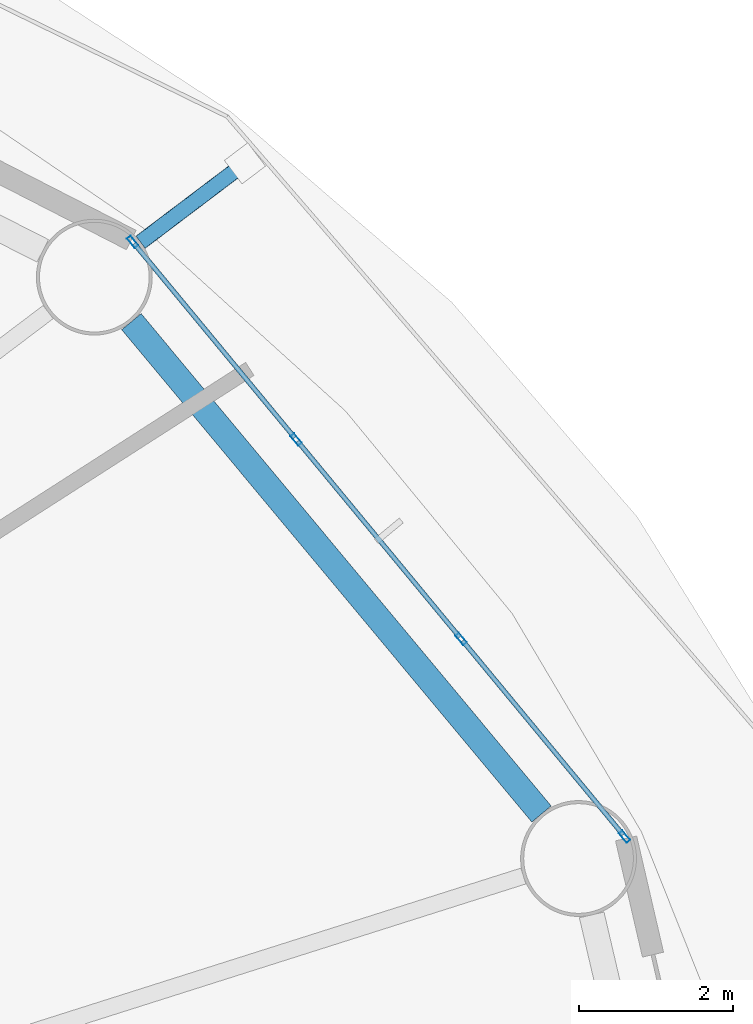
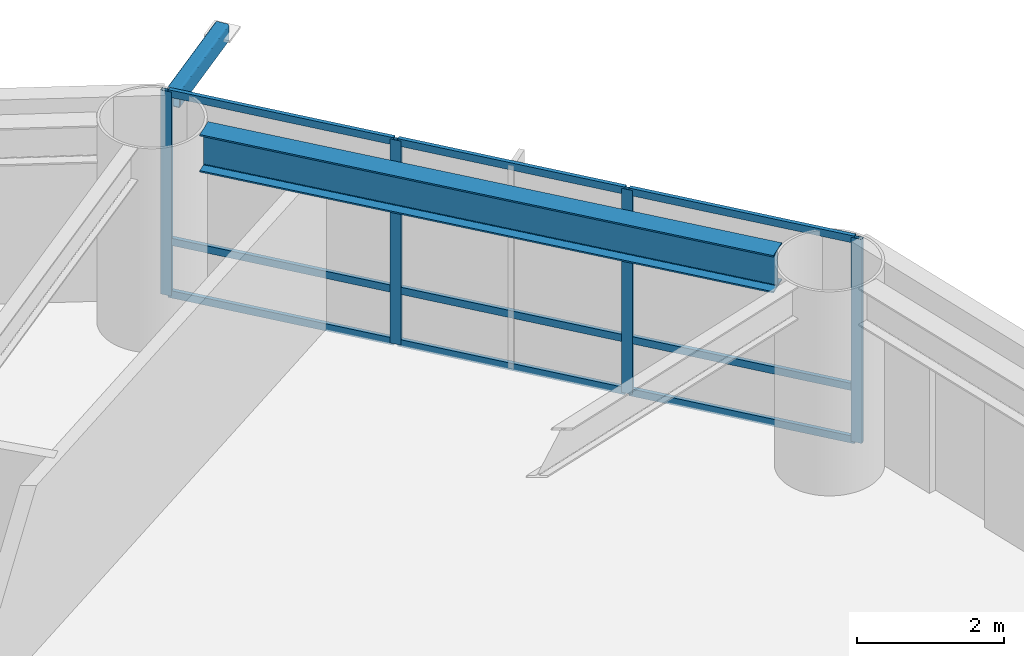
# One storey, part 14 of 28: 14 members, 1 beam, 1 element without a shape of its own.
"""IFC4 building model written with IfcOpenShell, lengths in metres."""

from ifc_helpers import new_model, si_unit, direction, frame, origin, origin_2d, place, context, subcontext, project, spatial, hollow_rectangle, i_section, extrude, material, layer, layer_set, material_profile, profile_set, type_object, element, aggregate, save


model = new_model("IFC4")

# Units and contexts
model_context = context("Model", 3, precision=1e-05, world=origin(), true_north=direction((0.0, 1.0)))
body_context = subcontext(model_context, "Body", "Model", "MODEL_VIEW")
ifc_project = project(units=[si_unit("LENGTHUNIT", "METRE"), si_unit("AREAUNIT", "SQUARE_METRE"), si_unit("VOLUMEUNIT", "CUBIC_METRE"), si_unit("PLANEANGLEUNIT", "RADIAN"), si_unit("MASSUNIT", "GRAM", prefix="KILO")], contexts=[model_context])

# Site, building, storey
site_placement = place(None, origin())
site = spatial("IfcSite", under=ifc_project, at=site_placement, CompositionType="ELEMENT")
building_placement = place(site_placement, origin())
building = spatial("IfcBuilding", under=site, at=building_placement, Name="Sarneth Arch Tower", CompositionType="ELEMENT")
storey_placement = place(building_placement, frame((0.0, 0.0, 31.800048828125)))
storey = spatial("IfcBuildingStorey", under=building, at=storey_placement, Name="L06", CompositionType="ELEMENT", Elevation=31.800048828125)

# Beam
ifc_material_1 = material(Name="Steel S355", Category="steel")
ifc_material_profile_1 = material_profile(ifc_material_1, i_section(OverallWidth=0.326904296875, OverallDepth=0.6220703125, WebThickness=0.015380859375, FlangeThickness=0.0244140625, FilletRadius=0.01904296875, at=origin_2d()), Name="W610x195")
ifc_profile_set_1 = profile_set([ifc_material_profile_1], Name="Steel S355")
beam_type = type_object("IfcBeamType", Name="BM-SPAN-610A", PredefinedType="SPANDREL", material=ifc_profile_set_1)
beam_placement = place(storey_placement, frame((75.485595703125, 51.45458984375, 3.06884765625), z_axis=(-0.639981736251, 0.768390120489, 0.0), x_axis=(-0.768390120489, -0.639981736251, 0.0)))
element("IfcBeam", 1, at=beam_placement, inside=storey, type_object=beam_type, Name="L06 Perimeter spandrel beam 02", PredefinedType="SPANDREL", context=body_context, shape_type="SweptSolid", body=[
    extrude(i_section(OverallWidth=0.326904296875, OverallDepth=0.6220703125, WebThickness=0.015380859375, FlangeThickness=0.0244140625, FilletRadius=0.01904296875, at=origin_2d()), origin(), (0.0, 0.0, 1.0), 8.29541015625),
])

# Curtain wall, members
ifc_material_2 = material(Name="Anodised aluminium Type AA25 and solar-control low-e laminated IGU", Category="aluminium")
ifc_layer = layer(ifc_material_2, 0.159912109375)
ifc_layer_set = layer_set([ifc_layer], Name="Anodised aluminium Type AA25 and solar-control low-e laminated IGU")
curtain_wall_type = type_object("IfcCurtainWallType", Name="CW-HOTEL-LOW", PredefinedType="NOTDEFINED", material=ifc_layer_set)
curtain_wall_placement = place(storey_placement, origin())
curtain_wall = element("IfcCurtainWall", 2, at=curtain_wall_placement, inside=storey, type_object=curtain_wall_type, Name="L06 Unitised curtain wall facet 02", PredefinedType="NOTDEFINED")
ifc_material_3 = material(Name="Anodised Aluminium 6063-T6", Category="aluminium")
ifc_material_profile_2 = material_profile(ifc_material_3, hollow_rectangle(XDim=0.06005859375, YDim=0.159912109375, WallThickness=0.00390625, at=origin_2d()), Name="AL-MULL-160x60x4")
ifc_profile_set_2 = profile_set([ifc_material_profile_2], Name="Anodised Aluminium 6063-T6")
member_type_1 = type_object("IfcMemberType", Name="CW-MULLION", PredefinedType="MULLION", material=ifc_profile_set_2)
member_1_placement = place(storey_placement, frame((76.561767578125, 51.16162109375, 0.0), z_axis=(0.0, 0.0, 1.0), x_axis=(-0.770622960278, -0.637291340827, 0.0)))
member_1 = element("IfcMember", 3, at=member_1_placement, type_object=member_type_1, Name="CW-SYS-3 mullion 1", PredefinedType="MULLION", context=body_context, shape_type="SweptSolid", body=[
    extrude(hollow_rectangle(XDim=0.06005859375, YDim=0.159912109375, WallThickness=0.00390625, at=origin_2d()), origin(), (0.0, 0.0, 1.0), 3.3798828125),
])
member_2_placement = place(storey_placement, frame((74.4453125, 53.720947265625, 0.0), z_axis=(0.0, 0.0, 1.0), x_axis=(-0.770622960278, -0.637291340827, 0.0)))
member_2 = element("IfcMember", 4, at=member_2_placement, type_object=member_type_1, Name="CW-SYS-3 mullion 2", PredefinedType="MULLION", context=body_context, shape_type="SweptSolid", body=[
    extrude(hollow_rectangle(XDim=0.06005859375, YDim=0.159912109375, WallThickness=0.00390625, at=origin_2d()), origin(), (0.0, 0.0, 1.0), 3.3798828125),
])
member_3_placement = place(storey_placement, frame((72.309814453125, 56.30322265625, 0.0), z_axis=(0.0, 0.0, 1.0), x_axis=(-0.770622960278, -0.637291340827, 0.0)))
member_3 = element("IfcMember", 5, at=member_3_placement, type_object=member_type_1, Name="CW-SYS-3 mullion 3", PredefinedType="MULLION", context=body_context, shape_type="SweptSolid", body=[
    extrude(hollow_rectangle(XDim=0.06005859375, YDim=0.159912109375, WallThickness=0.00390625, at=origin_2d()), origin(), (0.0, 0.0, 1.0), 3.3798828125),
])
member_4_placement = place(storey_placement, frame((70.193359375, 58.862548828125, 0.0), z_axis=(0.0, 0.0, 1.0), x_axis=(-0.770622960278, -0.637291340827, 0.0)))
member_4 = element("IfcMember", 6, at=member_4_placement, type_object=member_type_1, Name="CW-SYS-3 mullion 4", PredefinedType="MULLION", context=body_context, shape_type="SweptSolid", body=[
    extrude(hollow_rectangle(XDim=0.06005859375, YDim=0.159912109375, WallThickness=0.00390625, at=origin_2d()), origin(), (0.0, 0.0, 1.0), 3.3798828125),
])
ifc_material_4 = material(Name="Anodised Aluminium 6063-T6", Category="aluminium")
ifc_material_profile_3 = material_profile(ifc_material_4, hollow_rectangle(XDim=0.06005859375, YDim=0.1201171875, WallThickness=0.00390625, at=origin_2d()), Name="AL-TRAN-120x60x4")
ifc_profile_set_3 = profile_set([ifc_material_profile_3], Name="Anodised Aluminium 6063-T6")
member_type_2 = type_object("IfcMemberType", Name="CW-TRANSOM", PredefinedType="USERDEFINED", material=ifc_profile_set_3)
member_5_placement = place(storey_placement, frame((76.542724609375, 51.184814453125, 0.030029296875), z_axis=(-0.63733019572, 0.77059082633, 0.0), x_axis=(-0.77059082633, -0.63733019572, 0.0)))
member_5 = element("IfcMember", 7, at=member_5_placement, type_object=member_type_2, Name="CW-SYS-3 transom 1.1", ObjectType="TRANSOM", PredefinedType="USERDEFINED", context=body_context, shape_type="SweptSolid", body=[
    extrude(hollow_rectangle(XDim=0.06005859375, YDim=0.1201171875, WallThickness=0.00390625, at=origin_2d()), origin(), (0.0, 0.0, 1.0), 3.260986328125),
])
member_6_placement = place(storey_placement, frame((76.542724609375, 51.184814453125, 0.89990234375), z_axis=(-0.63733019572, 0.77059082633, 0.0), x_axis=(-0.77059082633, -0.63733019572, 0.0)))
member_6 = element("IfcMember", 8, at=member_6_placement, type_object=member_type_2, Name="CW-SYS-3 transom 1.2", ObjectType="TRANSOM", PredefinedType="USERDEFINED", context=body_context, shape_type="SweptSolid", body=[
    extrude(hollow_rectangle(XDim=0.06005859375, YDim=0.1201171875, WallThickness=0.00390625, at=origin_2d()), origin(), (0.0, 0.0, 1.0), 3.260986328125),
])
member_7_placement = place(storey_placement, frame((76.542724609375, 51.184814453125, 3.349853515625), z_axis=(-0.63733019572, 0.77059082633, 0.0), x_axis=(-0.77059082633, -0.63733019572, 0.0)))
member_7 = element("IfcMember", 9, at=member_7_placement, type_object=member_type_2, Name="CW-SYS-3 transom 1.3", ObjectType="TRANSOM", PredefinedType="USERDEFINED", context=body_context, shape_type="SweptSolid", body=[
    extrude(hollow_rectangle(XDim=0.06005859375, YDim=0.1201171875, WallThickness=0.00390625, at=origin_2d()), origin(), (0.0, 0.0, 1.0), 3.260986328125),
])
member_8_placement = place(storey_placement, frame((74.42626953125, 53.743896484375, 0.030029296875), z_axis=(-0.637268595771, 0.770641769465, 0.0), x_axis=(-0.770641769465, -0.637268595771, 0.0)))
member_8 = element("IfcMember", 10, at=member_8_placement, type_object=member_type_2, Name="CW-SYS-3 transom 2.1", ObjectType="TRANSOM", PredefinedType="USERDEFINED", context=body_context, shape_type="SweptSolid", body=[
    extrude(hollow_rectangle(XDim=0.06005859375, YDim=0.1201171875, WallThickness=0.00390625, at=origin_2d()), origin(), (0.0, 0.0, 1.0), 3.291259765625),
])
member_9_placement = place(storey_placement, frame((74.42626953125, 53.743896484375, 0.89990234375), z_axis=(-0.637268595771, 0.770641769465, 0.0), x_axis=(-0.770641769465, -0.637268595771, 0.0)))
member_9 = element("IfcMember", 11, at=member_9_placement, type_object=member_type_2, Name="CW-SYS-3 transom 2.2", ObjectType="TRANSOM", PredefinedType="USERDEFINED", context=body_context, shape_type="SweptSolid", body=[
    extrude(hollow_rectangle(XDim=0.06005859375, YDim=0.1201171875, WallThickness=0.00390625, at=origin_2d()), origin(), (0.0, 0.0, 1.0), 3.291259765625),
])
member_10_placement = place(storey_placement, frame((74.42626953125, 53.743896484375, 3.349853515625), z_axis=(-0.637268595771, 0.770641769465, 0.0), x_axis=(-0.770641769465, -0.637268595771, 0.0)))
member_10 = element("IfcMember", 12, at=member_10_placement, type_object=member_type_2, Name="CW-SYS-3 transom 2.3", ObjectType="TRANSOM", PredefinedType="USERDEFINED", context=body_context, shape_type="SweptSolid", body=[
    extrude(hollow_rectangle(XDim=0.06005859375, YDim=0.1201171875, WallThickness=0.00390625, at=origin_2d()), origin(), (0.0, 0.0, 1.0), 3.291259765625),
])
member_11_placement = place(storey_placement, frame((72.29052734375, 56.326416015625, 0.030029296875), z_axis=(-0.637285736625, 0.770627594817, 0.0), x_axis=(-0.770627594817, -0.637285736625, 0.0)))
member_11 = element("IfcMember", 13, at=member_11_placement, type_object=member_type_2, Name="CW-SYS-3 transom 3.1", ObjectType="TRANSOM", PredefinedType="USERDEFINED", context=body_context, shape_type="SweptSolid", body=[
    extrude(hollow_rectangle(XDim=0.06005859375, YDim=0.1201171875, WallThickness=0.00390625, at=origin_2d()), origin(), (0.0, 0.0, 1.0), 3.260986328125),
])
member_12_placement = place(storey_placement, frame((72.29052734375, 56.326416015625, 0.89990234375), z_axis=(-0.637285736625, 0.770627594817, 0.0), x_axis=(-0.770627594817, -0.637285736625, 0.0)))
member_12 = element("IfcMember", 14, at=member_12_placement, type_object=member_type_2, Name="CW-SYS-3 transom 3.2", ObjectType="TRANSOM", PredefinedType="USERDEFINED", context=body_context, shape_type="SweptSolid", body=[
    extrude(hollow_rectangle(XDim=0.06005859375, YDim=0.1201171875, WallThickness=0.00390625, at=origin_2d()), origin(), (0.0, 0.0, 1.0), 3.260986328125),
])
member_13_placement = place(storey_placement, frame((72.29052734375, 56.326416015625, 3.349853515625), z_axis=(-0.637285736625, 0.770627594817, 0.0), x_axis=(-0.770627594817, -0.637285736625, 0.0)))
member_13 = element("IfcMember", 15, at=member_13_placement, type_object=member_type_2, Name="CW-SYS-3 transom 3.3", ObjectType="TRANSOM", PredefinedType="USERDEFINED", context=body_context, shape_type="SweptSolid", body=[
    extrude(hollow_rectangle(XDim=0.06005859375, YDim=0.1201171875, WallThickness=0.00390625, at=origin_2d()), origin(), (0.0, 0.0, 1.0), 3.260986328125),
])
aggregate(curtain_wall, [member_1, member_2, member_3, member_4, member_5, member_6, member_7, member_8, member_9, member_10, member_11, member_12, member_13])

# Member
ifc_material_5 = material(Name="Steel S355", Category="steel")
ifc_material_profile_4 = material_profile(ifc_material_5, hollow_rectangle(XDim=0.199951171875, YDim=0.300048828125, WallThickness=0.012451171875, InnerFilletRadius=0.018798828125, OuterFilletRadius=0.03125, at=origin_2d()), Name="RHS300x200x12.5")
ifc_profile_set_4 = profile_set([ifc_material_profile_4], Name="Steel S355")
member_type_3 = type_object("IfcMemberType", Name="MEM-CANT-STRUT", PredefinedType="STRUT", material=ifc_profile_set_4)
member_14_placement = place(storey_placement, frame((70.294921875, 58.857177734375, 3.219970703125), z_axis=(0.797659331282, 0.603108274872, 0.0), x_axis=(-0.603108274872, 0.797659331282, 0.0)))
element("IfcMember", 16, at=member_14_placement, inside=storey, type_object=member_type_3, Name="L06 Balcony cantilever bracket 03", PredefinedType="STRUT", context=body_context, shape_type="SweptSolid", body=[
    extrude(hollow_rectangle(XDim=0.199951171875, YDim=0.300048828125, WallThickness=0.012451171875, InnerFilletRadius=0.018798828125, OuterFilletRadius=0.03125, at=origin_2d()), origin(), (0.0, 0.0, 1.0), 1.694091796875),
])

save(model, "model.ifc")
